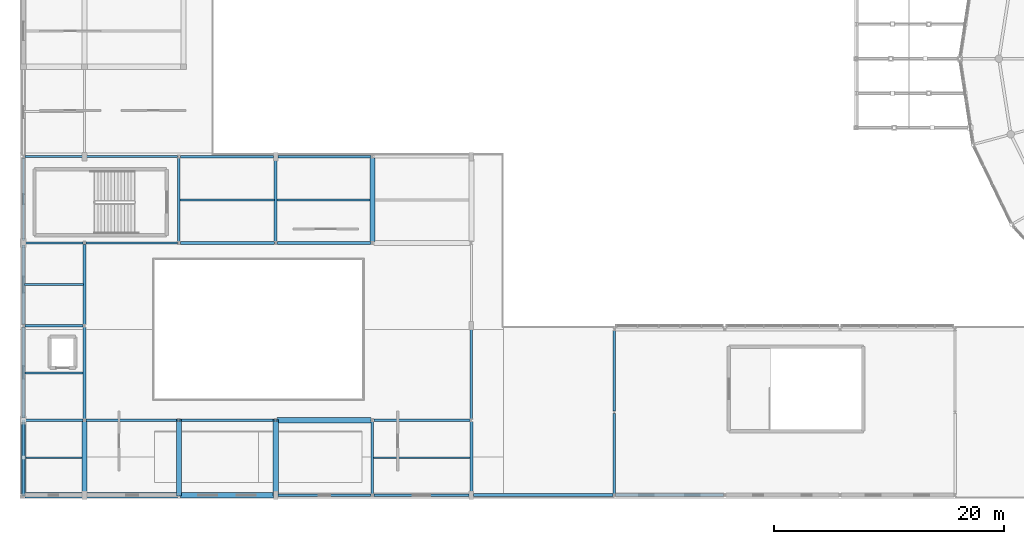
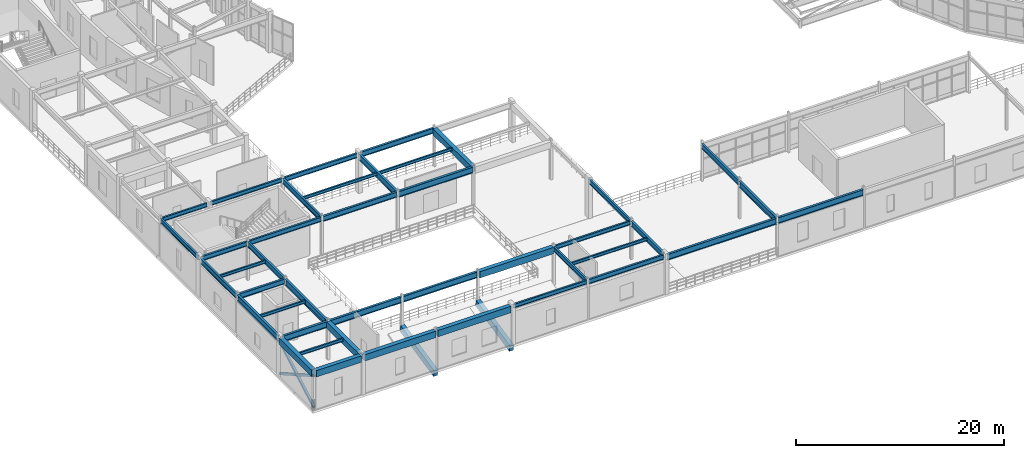
# One storey, part 29 of 144: 44 beams, 3 members.
"""IFC4 building model written with IfcOpenShell, lengths in metres."""

from ifc_helpers import new_model, si_unit, direction, frame, origin, origin_2d, place, context, subcontext, project, spatial, rectangle, hollow_rectangle, i_section, extrude, material, material_profile, profile_set, type_object, element, save


model = new_model("IFC4")

# Units and contexts
model_context = context("Model", 3, precision=1e-05, world=origin(), true_north=direction((0.0, 1.0)))
body_context = subcontext(model_context, "Body", "Model", "MODEL_VIEW")
ifc_project = project(units=[si_unit("LENGTHUNIT", "METRE"), si_unit("AREAUNIT", "SQUARE_METRE"), si_unit("VOLUMEUNIT", "CUBIC_METRE"), si_unit("PLANEANGLEUNIT", "RADIAN"), si_unit("MASSUNIT", "GRAM", prefix="KILO")], contexts=[model_context])

# Site, building, storey
site_placement = place(None, origin())
site = spatial("IfcSite", under=ifc_project, at=site_placement, CompositionType="ELEMENT")
building_placement = place(site_placement, origin())
building = spatial("IfcBuilding", under=site, at=building_placement, Name="Cinderbank Siding Concert Hall", CompositionType="ELEMENT")
storey_placement = place(building_placement, frame((0.0, 0.0, 5.39990234375)))
storey = spatial("IfcBuildingStorey", under=building, at=storey_placement, Name="L02", CompositionType="ELEMENT", Elevation=5.39990234375)

# Beams
ifc_material_1 = material(Name="Reinforced concrete AS 3600 N50 (50 MPa)", Category="concrete")
ifc_material_profile_1 = material_profile(ifc_material_1, rectangle(XDim=0.449951171875, YDim=0.75, at=origin_2d()), Name="RC-BM-450x750", Category="LoadBearing")
ifc_profile_set_1 = profile_set([ifc_material_profile_1], Name="Reinforced concrete AS 3600 N50 (50 MPa)")
beam_type_1 = type_object("IfcBeamType", Name="BM-RC750 RC-BM-450x750", PredefinedType="BEAM", material=ifc_profile_set_1)
for number, where, z_axis, x_axis, name in (
    (1, (20.60009765625, 6.10009765625, -0.554931640625), (0.0, 0.977577246233, 0.210577129926), (-1.0, 0.0, 0.0), "L02 Beam BM-RC750 #3"),
    (2, (29.0, 6.10009765625, -0.554931640625), (0.0, 0.977577246233, 0.210577129926), (-1.0, 0.0, 0.0), "L02 Beam BM-RC750 #6"),
):
    element("IfcBeam", number, at=place(storey_placement, frame(where, z_axis=z_axis, x_axis=x_axis)), inside=storey, type_object=beam_type_1, Name=name, PredefinedType="BEAM", context=body_context, shape_type="SweptSolid", body=[
        extrude(rectangle(XDim=0.449951171875, YDim=0.75, at=origin_2d()), origin(), (0.0, 0.0, 1.0), 6.649169921875),
    ])
beam_1_placement = place(storey_placement, frame((7.218994140625, 6.10009765625, 4.1669921875), z_axis=(1.0, 0.0, 0.0), x_axis=(0.0, 1.0, 0.0)))
element("IfcBeam", 3, at=beam_1_placement, inside=storey, type_object=beam_type_1, Name="L02 Beam BM-RC750 #1489", PredefinedType="BEAM", context=body_context, shape_type="SweptSolid", body=[
    extrude(rectangle(XDim=0.449951171875, YDim=0.75, at=origin_2d()), origin(), (0.0, 0.0, 1.0), 4.989013671875),
])
beam_2_placement = place(storey_placement, frame((7.10009765625, 6.218994140625, 4.1669921875), z_axis=(0.0, 1.0, 0.0), x_axis=(-1.0, 0.0, 0.0)))
element("IfcBeam", 4, at=beam_2_placement, inside=storey, type_object=beam_type_1, Name="L02 Beam BM-RC750 #1490", PredefinedType="BEAM", context=body_context, shape_type="SweptSolid", body=[
    extrude(rectangle(XDim=0.449951171875, YDim=0.75, at=origin_2d()), origin(), (0.0, 0.0, 1.0), 6.18896484375),
])
beam_3_placement = place(storey_placement, frame((12.592041015625, 6.10009765625, 4.1669921875), z_axis=(1.0, 0.0, 0.0), x_axis=(0.0, 1.0, 0.0)))
element("IfcBeam", 5, at=beam_3_placement, inside=storey, type_object=beam_type_1, Name="L02 Beam BM-RC750 #1499", PredefinedType="BEAM", context=body_context, shape_type="SweptSolid", body=[
    extrude(rectangle(XDim=0.449951171875, YDim=0.75, at=origin_2d()), origin(), (0.0, 0.0, 1.0), 7.888916015625),
])
beam_4_placement = place(storey_placement, frame((12.39990234375, 6.2919921875, 4.1669921875), z_axis=(0.0, 1.0, 0.0), x_axis=(-1.0, 0.0, 0.0)))
element("IfcBeam", 6, at=beam_4_placement, inside=storey, type_object=beam_type_1, Name="L02 Beam BM-RC750 #1500", PredefinedType="BEAM", context=body_context, shape_type="SweptSolid", body=[
    extrude(rectangle(XDim=0.449951171875, YDim=0.75, at=origin_2d()), origin(), (0.0, 0.0, 1.0), 6.18896484375),
])
beam_5_placement = place(storey_placement, frame((20.718994140625, 6.10009765625, 4.1669921875), z_axis=(1.0, 0.0, 0.0), x_axis=(0.0, 1.0, 0.0)))
element("IfcBeam", 7, at=beam_5_placement, inside=storey, type_object=beam_type_1, Name="L02 Beam BM-RC750 #1507", PredefinedType="BEAM", context=body_context, shape_type="SweptSolid", body=[
    extrude(rectangle(XDim=0.449951171875, YDim=0.75, at=origin_2d()), origin(), (0.0, 0.0, 1.0), 8.089111328125),
])
beam_6_placement = place(storey_placement, frame((29.118896484375, 12.60009765625, 4.1669921875), z_axis=(1.0, 0.0, 0.0), x_axis=(0.0, 1.0, 0.0)))
element("IfcBeam", 8, at=beam_6_placement, inside=storey, type_object=beam_type_1, Name="L02 Beam BM-RC750 #1513", PredefinedType="BEAM", context=body_context, shape_type="SweptSolid", body=[
    extrude(rectangle(XDim=0.449951171875, YDim=0.75, at=origin_2d()), origin(), (0.0, 0.0, 1.0), 8.162109375),
])
beam_7_placement = place(storey_placement, frame((37.39990234375, 28.118896484375, 4.1669921875), z_axis=(0.0, 1.0, 0.0), x_axis=(-1.0, 0.0, 0.0)))
element("IfcBeam", 9, at=beam_7_placement, inside=storey, type_object=beam_type_1, Name="L02 Beam BM-RC750 #1521", PredefinedType="BEAM", context=body_context, shape_type="SweptSolid", body=[
    extrude(rectangle(XDim=0.449951171875, YDim=0.75, at=origin_2d()), origin(), (0.0, 0.0, 1.0), 7.26220703125),
])
ifc_material_2 = material(Name="Structural steel AS/NZS 3679.1 Grade 350 (340 MPa)", Category="steel")
ifc_material_profile_2 = material_profile(ifc_material_2, i_section(OverallWidth=0.18994140625, OverallDepth=0.45751953125, WebThickness=0.009033203125, FlangeThickness=0.014404296875, at=origin_2d()), Name="460UB74.6", Category="LoadBearing")
ifc_profile_set_2 = profile_set([ifc_material_profile_2], Name="Structural steel AS/NZS 3679.1 Grade 350 (340 MPa)")
beam_type_2 = type_object("IfcBeamType", Name="BM-UB460 460UB74.6", PredefinedType="BEAM", material=ifc_profile_set_2)
beam_8_placement = place(storey_placement, frame((7.218994140625, 35.5, 4.3134765625), z_axis=(1.0, 0.0, 0.0), x_axis=(0.0, 1.0, 0.0)))
element("IfcBeam", 10, at=beam_8_placement, inside=storey, type_object=beam_type_2, Name="L02 Beam BM-UB460 #1497", PredefinedType="BEAM", context=body_context, shape_type="SweptSolid", body=[
    extrude(i_section(OverallWidth=0.18994140625, OverallDepth=0.45751953125, WebThickness=0.009033203125, FlangeThickness=0.014404296875, at=origin_2d()), origin(), (0.0, 0.0, 1.0), 4.989013671875),
])
beam_9_placement = place(storey_placement, frame((12.592041015625, 35.5, 4.3134765625), z_axis=(1.0, 0.0, 0.0), x_axis=(0.0, 1.0, 0.0)))
element("IfcBeam", 11, at=beam_9_placement, inside=storey, type_object=beam_type_2, Name="L02 Beam BM-UB460 #1505", PredefinedType="BEAM", context=body_context, shape_type="SweptSolid", body=[
    extrude(i_section(OverallWidth=0.18994140625, OverallDepth=0.45751953125, WebThickness=0.009033203125, FlangeThickness=0.014404296875, at=origin_2d()), origin(), (0.0, 0.0, 1.0), 7.888916015625),
])
beam_10_placement = place(storey_placement, frame((29.19189453125, 6.10009765625, 4.3134765625), z_axis=(1.0, 0.0, 0.0), x_axis=(0.0, 1.0, 0.0)))
element("IfcBeam", 12, at=beam_10_placement, inside=storey, type_object=beam_type_2, Name="L02 Beam BM-UB460 #1512", PredefinedType="BEAM", context=body_context, shape_type="SweptSolid", body=[
    extrude(i_section(OverallWidth=0.18994140625, OverallDepth=0.45751953125, WebThickness=0.009033203125, FlangeThickness=0.014404296875, at=origin_2d()), origin(), (0.0, 0.0, 1.0), 8.089111328125),
])
beam_11_placement = place(storey_placement, frame((37.51904296875, 12.60009765625, 4.3134765625), z_axis=(1.0, 0.0, 0.0), x_axis=(0.0, 1.0, 0.0)))
element("IfcBeam", 13, at=beam_11_placement, inside=storey, type_object=beam_type_2, Name="L02 Beam BM-UB460 #1519", PredefinedType="BEAM", context=body_context, shape_type="SweptSolid", body=[
    extrude(i_section(OverallWidth=0.18994140625, OverallDepth=0.45751953125, WebThickness=0.009033203125, FlangeThickness=0.014404296875, at=origin_2d()), origin(), (0.0, 0.0, 1.0), 8.362060546875),
])
ifc_material_profile_3 = material_profile(ifc_material_2, i_section(OverallWidth=0.208984375, OverallDepth=0.5283203125, WebThickness=0.009521484375, FlangeThickness=0.01318359375, at=origin_2d()), Name="530UB82.0", Category="LoadBearing")
ifc_profile_set_3 = profile_set([ifc_material_profile_3], Name="Structural steel AS/NZS 3679.1 Grade 350 (340 MPa)")
beam_type_3 = type_object("IfcBeamType", Name="BM-UB530 530UB82.0", PredefinedType="BEAM", material=ifc_profile_set_3)
beam_12_placement = place(storey_placement, frame((7.2919921875, 28.0, 4.278076171875), z_axis=(1.0, 0.0, 0.0), x_axis=(0.0, 1.0, 0.0)))
element("IfcBeam", 14, at=beam_12_placement, inside=storey, type_object=beam_type_3, Name="L02 Beam BM-UB530 #1495", PredefinedType="BEAM", context=body_context, shape_type="SweptSolid", body=[
    extrude(i_section(OverallWidth=0.208984375, OverallDepth=0.5283203125, WebThickness=0.009521484375, FlangeThickness=0.01318359375, at=origin_2d()), origin(), (0.0, 0.0, 1.0), 4.989013671875),
])
beam_13_placement = place(storey_placement, frame((7.10009765625, 28.19189453125, 4.278076171875), z_axis=(0.0, 1.0, 0.0), x_axis=(-1.0, 0.0, 0.0)))
element("IfcBeam", 15, at=beam_13_placement, inside=storey, type_object=beam_type_3, Name="L02 Beam BM-UB530 #1496", PredefinedType="BEAM", context=body_context, shape_type="SweptSolid", body=[
    extrude(i_section(OverallWidth=0.208984375, OverallDepth=0.5283203125, WebThickness=0.009521484375, FlangeThickness=0.01318359375, at=origin_2d()), origin(), (0.0, 0.0, 1.0), 7.189208984375),
])
beam_14_placement = place(storey_placement, frame((12.51904296875, 28.0, 4.278076171875), z_axis=(1.0, 0.0, 0.0), x_axis=(0.0, 1.0, 0.0)))
element("IfcBeam", 16, at=beam_14_placement, inside=storey, type_object=beam_type_3, Name="L02 Beam BM-UB530 #1504", PredefinedType="BEAM", context=body_context, shape_type="SweptSolid", body=[
    extrude(i_section(OverallWidth=0.208984375, OverallDepth=0.5283203125, WebThickness=0.009521484375, FlangeThickness=0.01318359375, at=origin_2d()), origin(), (0.0, 0.0, 1.0), 7.9619140625),
])
beam_15_placement = place(storey_placement, frame((20.718994140625, 35.5, 4.278076171875), z_axis=(1.0, 0.0, 0.0), x_axis=(0.0, 1.0, 0.0)))
element("IfcBeam", 17, at=beam_15_placement, inside=storey, type_object=beam_type_3, Name="L02 Beam BM-UB530 #1511", PredefinedType="BEAM", context=body_context, shape_type="SweptSolid", body=[
    extrude(i_section(OverallWidth=0.208984375, OverallDepth=0.5283203125, WebThickness=0.009521484375, FlangeThickness=0.01318359375, at=origin_2d()), origin(), (0.0, 0.0, 1.0), 8.089111328125),
])
beam_16_placement = place(storey_placement, frame((37.51904296875, 6.10009765625, 4.278076171875), z_axis=(1.0, 0.0, 0.0), x_axis=(0.0, 1.0, 0.0)))
element("IfcBeam", 18, at=beam_16_placement, inside=storey, type_object=beam_type_3, Name="L02 Beam BM-UB530 #1517", PredefinedType="BEAM", context=body_context, shape_type="SweptSolid", body=[
    extrude(i_section(OverallWidth=0.208984375, OverallDepth=0.5283203125, WebThickness=0.009521484375, FlangeThickness=0.01318359375, at=origin_2d()), origin(), (0.0, 0.0, 1.0), 8.2890625),
])
beam_17_placement = place(storey_placement, frame((37.39990234375, 6.218994140625, 4.278076171875), z_axis=(0.0, 1.0, 0.0), x_axis=(-1.0, 0.0, 0.0)))
element("IfcBeam", 19, at=beam_17_placement, inside=storey, type_object=beam_type_3, Name="L02 Beam BM-UB530 #1518", PredefinedType="BEAM", context=body_context, shape_type="SweptSolid", body=[
    extrude(i_section(OverallWidth=0.208984375, OverallDepth=0.5283203125, WebThickness=0.009521484375, FlangeThickness=0.01318359375, at=origin_2d()), origin(), (0.0, 0.0, 1.0), 6.261962890625),
])
beam_18_placement = place(storey_placement, frame((46.0, 12.718994140625, 4.278076171875), z_axis=(0.0, 1.0, 0.0), x_axis=(-1.0, 0.0, 0.0)))
element("IfcBeam", 20, at=beam_18_placement, inside=storey, type_object=beam_type_3, Name="L02 Beam BM-UB530 #1525", PredefinedType="BEAM", context=body_context, shape_type="SweptSolid", body=[
    extrude(i_section(OverallWidth=0.208984375, OverallDepth=0.5283203125, WebThickness=0.009521484375, FlangeThickness=0.01318359375, at=origin_2d()), origin(), (0.0, 0.0, 1.0), 7.888916015625),
])
ifc_material_profile_4 = material_profile(ifc_material_2, i_section(OverallWidth=0.22802734375, OverallDepth=0.602294921875, WebThickness=0.010498046875, FlangeThickness=0.014892578125, at=origin_2d()), Name="610UB101", Category="LoadBearing")
ifc_profile_set_4 = profile_set([ifc_material_profile_4], Name="Structural steel AS/NZS 3679.1 Grade 350 (340 MPa)")
beam_type_4 = type_object("IfcBeamType", Name="BM-UB610 610UB101", PredefinedType="BEAM", material=ifc_profile_set_4)
beam_19_placement = place(storey_placement, frame((7.218994140625, 20.800048828125, 4.240966796875), z_axis=(1.0, 0.0, 0.0), x_axis=(0.0, 1.0, 0.0)))
element("IfcBeam", 21, at=beam_19_placement, inside=storey, type_object=beam_type_4, Name="L02 Beam BM-UB610 #1493", PredefinedType="BEAM", context=body_context, shape_type="SweptSolid", body=[
    extrude(i_section(OverallWidth=0.22802734375, OverallDepth=0.602294921875, WebThickness=0.010498046875, FlangeThickness=0.014892578125, at=origin_2d()), origin(), (0.0, 0.0, 1.0), 5.06201171875),
])
beam_20_placement = place(storey_placement, frame((7.10009765625, 20.9189453125, 4.240966796875), z_axis=(0.0, 1.0, 0.0), x_axis=(-1.0, 0.0, 0.0)))
element("IfcBeam", 22, at=beam_20_placement, inside=storey, type_object=beam_type_4, Name="L02 Beam BM-UB610 #1494", PredefinedType="BEAM", context=body_context, shape_type="SweptSolid", body=[
    extrude(i_section(OverallWidth=0.22802734375, OverallDepth=0.602294921875, WebThickness=0.010498046875, FlangeThickness=0.014892578125, at=origin_2d()), origin(), (0.0, 0.0, 1.0), 6.88916015625),
])
beam_21_placement = place(storey_placement, frame((12.39990234375, 20.9189453125, 4.240966796875), z_axis=(0.0, 1.0, 0.0), x_axis=(-1.0, 0.0, 0.0)))
element("IfcBeam", 23, at=beam_21_placement, inside=storey, type_object=beam_type_4, Name="L02 Beam BM-UB610 #1503", PredefinedType="BEAM", context=body_context, shape_type="SweptSolid", body=[
    extrude(i_section(OverallWidth=0.22802734375, OverallDepth=0.602294921875, WebThickness=0.010498046875, FlangeThickness=0.014892578125, at=origin_2d()), origin(), (0.0, 0.0, 1.0), 6.962158203125),
])
beam_22_placement = place(storey_placement, frame((20.718994140625, 28.0, 4.240966796875), z_axis=(1.0, 0.0, 0.0), x_axis=(0.0, 1.0, 0.0)))
element("IfcBeam", 24, at=beam_22_placement, inside=storey, type_object=beam_type_4, Name="L02 Beam BM-UB610 #1509", PredefinedType="BEAM", context=body_context, shape_type="SweptSolid", body=[
    extrude(i_section(OverallWidth=0.22802734375, OverallDepth=0.602294921875, WebThickness=0.010498046875, FlangeThickness=0.014892578125, at=origin_2d()), origin(), (0.0, 0.0, 1.0), 8.162109375),
])
beam_23_placement = place(storey_placement, frame((20.60009765625, 28.118896484375, 4.240966796875), z_axis=(0.0, 1.0, 0.0), x_axis=(-1.0, 0.0, 0.0)))
element("IfcBeam", 25, at=beam_23_placement, inside=storey, type_object=beam_type_4, Name="L02 Beam BM-UB610 #1510", PredefinedType="BEAM", context=body_context, shape_type="SweptSolid", body=[
    extrude(i_section(OverallWidth=0.22802734375, OverallDepth=0.602294921875, WebThickness=0.010498046875, FlangeThickness=0.014892578125, at=origin_2d()), origin(), (0.0, 0.0, 1.0), 7.26220703125),
])
beam_24_placement = place(storey_placement, frame((29.19189453125, 35.5, 4.240966796875), z_axis=(1.0, 0.0, 0.0), x_axis=(0.0, 1.0, 0.0)))
element("IfcBeam", 26, at=beam_24_placement, inside=storey, type_object=beam_type_4, Name="L02 Beam BM-UB610 #1516", PredefinedType="BEAM", context=body_context, shape_type="SweptSolid", body=[
    extrude(i_section(OverallWidth=0.22802734375, OverallDepth=0.602294921875, WebThickness=0.010498046875, FlangeThickness=0.014892578125, at=origin_2d()), origin(), (0.0, 0.0, 1.0), 8.089111328125),
])
beam_25_placement = place(storey_placement, frame((46.0, 6.2919921875, 4.240966796875), z_axis=(0.0, 1.0, 0.0), x_axis=(-1.0, 0.0, 0.0)))
element("IfcBeam", 27, at=beam_25_placement, inside=storey, type_object=beam_type_4, Name="L02 Beam BM-UB610 #1524", PredefinedType="BEAM", context=body_context, shape_type="SweptSolid", body=[
    extrude(i_section(OverallWidth=0.22802734375, OverallDepth=0.602294921875, WebThickness=0.010498046875, FlangeThickness=0.014892578125, at=origin_2d()), origin(), (0.0, 0.0, 1.0), 6.18896484375),
])
beam_26_placement = place(storey_placement, frame((58.39990234375, 13.39453125, 4.15087890625), z_axis=(0.0, 1.0, 0.0), x_axis=(-1.0, 0.0, 0.0)))
element("IfcBeam", 28, at=beam_26_placement, inside=storey, type_object=beam_type_4, Name="L02 Beam BM-UB610 #1611", PredefinedType="BEAM", context=body_context, shape_type="SweptSolid", body=[
    extrude(i_section(OverallWidth=0.22802734375, OverallDepth=0.602294921875, WebThickness=0.010498046875, FlangeThickness=0.014892578125, at=origin_2d()), origin(), (0.0, 0.0, 1.0), 7.010986328125),
])
ifc_material_3 = material(Name="Structural steel welded plate section AS/NZS 3679.2 / AS/NZS 3678 Grade 350 (340 MPa)", Category="steel")
ifc_material_profile_5 = material_profile(ifc_material_3, i_section(OverallWidth=0.25, OverallDepth=0.699951171875, WebThickness=0.010009765625, FlangeThickness=0.01611328125, at=origin_2d()), Name="700WB130", Category="LoadBearing")
ifc_profile_set_5 = profile_set([ifc_material_profile_5], Name="Structural steel welded plate section AS/NZS 3679.2 / AS/NZS 3678 Grade 350 (340 MPa)")
beam_type_5 = type_object("IfcBeamType", Name="BM-WB700 700WB130", PredefinedType="BEAM", material=ifc_profile_set_5)
beam_27_placement = place(storey_placement, frame((7.2919921875, 12.60009765625, 4.192138671875), z_axis=(1.0, 0.0, 0.0), x_axis=(0.0, 1.0, 0.0)))
element("IfcBeam", 29, at=beam_27_placement, inside=storey, type_object=beam_type_5, Name="L02 Beam BM-WB700 #1491", PredefinedType="BEAM", context=body_context, shape_type="SweptSolid", body=[
    extrude(i_section(OverallWidth=0.25, OverallDepth=0.699951171875, WebThickness=0.010009765625, FlangeThickness=0.01611328125, at=origin_2d()), origin(), (0.0, 0.0, 1.0), 4.989013671875),
])
beam_28_placement = place(storey_placement, frame((7.10009765625, 12.7919921875, 4.192138671875), z_axis=(0.0, 1.0, 0.0), x_axis=(-1.0, 0.0, 0.0)))
element("IfcBeam", 30, at=beam_28_placement, inside=storey, type_object=beam_type_5, Name="L02 Beam BM-WB700 #1492", PredefinedType="BEAM", context=body_context, shape_type="SweptSolid", body=[
    extrude(i_section(OverallWidth=0.25, OverallDepth=0.699951171875, WebThickness=0.010009765625, FlangeThickness=0.01611328125, at=origin_2d()), origin(), (0.0, 0.0, 1.0), 7.888916015625),
])
for number, where, z_axis, x_axis, name in (
    (31, (12.51904296875, 12.60009765625, 4.192138671875), (1.0, 0.0, 0.0), (0.0, 1.0, 0.0), "L02 Beam BM-WB700 #1501"),
    (32, (12.39990234375, 12.718994140625, 4.192138671875), (0.0, 1.0, 0.0), (-1.0, 0.0, 0.0), "L02 Beam BM-WB700 #1502"),
):
    element("IfcBeam", number, at=place(storey_placement, frame(where, z_axis=z_axis, x_axis=x_axis)), inside=storey, type_object=beam_type_5, Name=name, PredefinedType="BEAM", context=body_context, shape_type="SweptSolid", body=[
        extrude(i_section(OverallWidth=0.25, OverallDepth=0.699951171875, WebThickness=0.010009765625, FlangeThickness=0.01611328125, at=origin_2d()), origin(), (0.0, 0.0, 1.0), 7.9619140625),
    ])
for number, where, z_axis, x_axis, name in (
    (33, (20.718994140625, 12.60009765625, 4.192138671875), (1.0, 0.0, 0.0), (0.0, 1.0, 0.0), "L02 Beam BM-WB700 #1508"),
    (34, (29.118896484375, 28.0, 4.192138671875), (1.0, 0.0, 0.0), (0.0, 1.0, 0.0), "L02 Beam BM-WB700 #1514"),
):
    element("IfcBeam", number, at=place(storey_placement, frame(where, z_axis=z_axis, x_axis=x_axis)), inside=storey, type_object=beam_type_5, Name=name, PredefinedType="BEAM", context=body_context, shape_type="SweptSolid", body=[
        extrude(i_section(OverallWidth=0.25, OverallDepth=0.699951171875, WebThickness=0.010009765625, FlangeThickness=0.01611328125, at=origin_2d()), origin(), (0.0, 0.0, 1.0), 8.162109375),
    ])
beam_29_placement = place(storey_placement, frame((29.0, 28.118896484375, 4.192138671875), z_axis=(0.0, 1.0, 0.0), x_axis=(-1.0, 0.0, 0.0)))
element("IfcBeam", 35, at=beam_29_placement, inside=storey, type_object=beam_type_5, Name="L02 Beam BM-WB700 #1515", PredefinedType="BEAM", context=body_context, shape_type="SweptSolid", body=[
    extrude(i_section(OverallWidth=0.25, OverallDepth=0.699951171875, WebThickness=0.010009765625, FlangeThickness=0.01611328125, at=origin_2d()), origin(), (0.0, 0.0, 1.0), 7.189208984375),
])
beam_30_placement = place(storey_placement, frame((46.19189453125, 6.10009765625, 4.10205078125), z_axis=(1.0, 0.0, 0.0), x_axis=(0.0, 1.0, 0.0)))
element("IfcBeam", 36, at=beam_30_placement, inside=storey, type_object=beam_type_5, Name="L02 Beam BM-WB700 #1523", PredefinedType="BEAM", context=body_context, shape_type="SweptSolid", body=[
    extrude(i_section(OverallWidth=0.25, OverallDepth=0.699951171875, WebThickness=0.010009765625, FlangeThickness=0.01611328125, at=origin_2d()), origin(), (0.0, 0.0, 1.0), 12.113525390625),
])
beam_31_placement = place(storey_placement, frame((58.494384765625, 6.10009765625, 4.10205078125), z_axis=(1.0, 0.0, 0.0), x_axis=(0.0, 1.0, 0.0)))
element("IfcBeam", 37, at=beam_31_placement, inside=storey, type_object=beam_type_5, Name="L02 Beam BM-WB700 #1609", PredefinedType="BEAM", context=body_context, shape_type="SweptSolid", body=[
    extrude(i_section(OverallWidth=0.25, OverallDepth=0.699951171875, WebThickness=0.010009765625, FlangeThickness=0.01611328125, at=origin_2d()), origin(), (0.0, 0.0, 1.0), 9.4111328125),
])
beam_32_placement = place(storey_placement, frame((58.39990234375, 6.194580078125, 4.10205078125), z_axis=(0.0, 1.0, 0.0), x_axis=(-1.0, 0.0, 0.0)))
element("IfcBeam", 38, at=beam_32_placement, inside=storey, type_object=beam_type_5, Name="L02 Beam BM-WB700 #1610", PredefinedType="BEAM", context=body_context, shape_type="SweptSolid", body=[
    extrude(i_section(OverallWidth=0.25, OverallDepth=0.699951171875, WebThickness=0.010009765625, FlangeThickness=0.01611328125, at=origin_2d()), origin(), (0.0, 0.0, 1.0), 7.010986328125),
])

# Members
ifc_material_4 = material(Name="Structural steel hollow section AS/NZS 1163 Grade C350L0 (350 MPa)", Category="steel")
ifc_material_profile_6 = material_profile(ifc_material_4, hollow_rectangle(XDim=0.25, YDim=0.25, WallThickness=0.010009765625, at=origin_2d()), Name="250x250x10.0SHS", Category="LoadBearing")
ifc_profile_set_6 = profile_set([ifc_material_profile_6], Name="Structural steel hollow section AS/NZS 1163 Grade C350L0 (350 MPa)")
member_type = type_object("IfcMemberType", Name="BR-SHS250 250x250x10.0SHS Roof Truss", PredefinedType="BRACE", material=ifc_profile_set_6)
member_placement = place(storey_placement, frame((7.10009765625, 6.10009765625, 0.2001953125), z_axis=(0.0, 0.869067538111, 0.49469345478), x_axis=(-1.0, 0.0, 0.0)))
element("IfcMember", 39, at=member_placement, inside=storey, type_object=member_type, Name="L02 Diagonal Brace BR-SHS250 #LBR-BR-SHS250-L02-2524", PredefinedType="BRACE", context=body_context, shape_type="SweptSolid", body=[
    extrude(hollow_rectangle(XDim=0.25, YDim=0.25, WallThickness=0.010009765625, at=origin_2d()), origin(), (0.0, 0.0, 1.0), 7.479248046875),
])
for number, where, z_axis, x_axis, name in (
    (40, (7.10009765625, 12.60009765625, 0.2001953125), (0.0, -0.869076870169, 0.494677060047), (1.0, 0.0, 0.0), "L02 Diagonal Brace BR-SHS250 #LBR-BR-SHS250-L02-2525"),
    (41, (7.10009765625, 9.3369140625, 2.0576171875), (0.0, -0.869060829293, 0.49470524051), (1.0, 0.0, 0.0), "L02 Diagonal Brace BR-SHS250 #LBR-BR-SHS250-L02-2525-S230"),
):
    element("IfcMember", number, at=place(storey_placement, frame(where, z_axis=z_axis, x_axis=x_axis)), inside=storey, type_object=member_type, Name=name, PredefinedType="BRACE", context=body_context, shape_type="SweptSolid", body=[
        extrude(hollow_rectangle(XDim=0.25, YDim=0.25, WallThickness=0.010009765625, at=origin_2d()), origin(), (0.0, 0.0, 1.0), 3.724609375),
    ])

# Beams
ifc_material_profile_7 = material_profile(ifc_material_2, i_section(OverallWidth=0.1708984375, OverallDepth=0.35205078125, WebThickness=0.0068359375, FlangeThickness=0.009765625, at=origin_2d()), Name="360UB44.7", Category="LoadBearing")
ifc_profile_set_7 = profile_set([ifc_material_profile_7], Name="Structural steel AS/NZS 3679.1 Grade 350 (340 MPa)")
beam_type_6 = type_object("IfcBeamType", Name="JS-UB360 360UB44.7", PredefinedType="JOIST", material=ifc_profile_set_7)
beam_33_placement = place(storey_placement, frame((7.31689453125, 9.35009765625, 4.3662109375), z_axis=(1.0, 0.0, 0.0), x_axis=(0.0, 1.0, 0.0)))
element("IfcBeam", 42, at=beam_33_placement, inside=storey, type_object=beam_type_6, Name="L02 Beam JS-UB360 #1658", PredefinedType="JOIST", context=body_context, shape_type="SweptSolid", body=[
    extrude(i_section(OverallWidth=0.1708984375, OverallDepth=0.35205078125, WebThickness=0.0068359375, FlangeThickness=0.009765625, at=origin_2d()), origin(), (0.0, 0.0, 1.0), 4.8662109375),
])
beam_34_placement = place(storey_placement, frame((7.217041015625, 16.699951171875, 4.3662109375), z_axis=(1.0, 0.0, 0.0), x_axis=(0.0, 1.0, 0.0)))
element("IfcBeam", 43, at=beam_34_placement, inside=storey, type_object=beam_type_6, Name="L02 Beam JS-UB360 #1659", PredefinedType="JOIST", context=body_context, shape_type="SweptSolid", body=[
    extrude(i_section(OverallWidth=0.1708984375, OverallDepth=0.35205078125, WebThickness=0.0068359375, FlangeThickness=0.009765625, at=origin_2d()), origin(), (0.0, 0.0, 1.0), 5.06591796875),
])
beam_35_placement = place(storey_placement, frame((7.2060546875, 24.39990234375, 4.3662109375), z_axis=(1.0, 0.0, 0.0), x_axis=(0.0, 1.0, 0.0)))
element("IfcBeam", 44, at=beam_35_placement, inside=storey, type_object=beam_type_6, Name="L02 Beam JS-UB360 #1660", PredefinedType="JOIST", context=body_context, shape_type="SweptSolid", body=[
    extrude(i_section(OverallWidth=0.1708984375, OverallDepth=0.35205078125, WebThickness=0.0068359375, FlangeThickness=0.009765625, at=origin_2d()), origin(), (0.0, 0.0, 1.0), 5.087890625),
])
beam_36_placement = place(storey_placement, frame((20.7060546875, 31.75, 4.3662109375), z_axis=(1.0, 0.0, 0.0), x_axis=(0.0, 1.0, 0.0)))
element("IfcBeam", 45, at=beam_36_placement, inside=storey, type_object=beam_type_6, Name="L02 Beam JS-UB360 #1662", PredefinedType="JOIST", context=body_context, shape_type="SweptSolid", body=[
    extrude(i_section(OverallWidth=0.1708984375, OverallDepth=0.35205078125, WebThickness=0.0068359375, FlangeThickness=0.009765625, at=origin_2d()), origin(), (0.0, 0.0, 1.0), 8.177001953125),
])
beam_37_placement = place(storey_placement, frame((29.116943359375, 31.75, 4.3662109375), z_axis=(1.0, 0.0, 0.0), x_axis=(0.0, 1.0, 0.0)))
element("IfcBeam", 46, at=beam_37_placement, inside=storey, type_object=beam_type_6, Name="L02 Beam JS-UB360 #1663", PredefinedType="JOIST", context=body_context, shape_type="SweptSolid", body=[
    extrude(i_section(OverallWidth=0.1708984375, OverallDepth=0.35205078125, WebThickness=0.0068359375, FlangeThickness=0.009765625, at=origin_2d()), origin(), (0.0, 0.0, 1.0), 8.066162109375),
])
beam_38_placement = place(storey_placement, frame((37.49658203125, 9.35009765625, 4.3662109375), z_axis=(1.0, 0.0, 0.0), x_axis=(0.0, 1.0, 0.0)))
element("IfcBeam", 47, at=beam_38_placement, inside=storey, type_object=beam_type_6, Name="L02 Beam JS-UB360 #1664", PredefinedType="JOIST", context=body_context, shape_type="SweptSolid", body=[
    extrude(i_section(OverallWidth=0.1708984375, OverallDepth=0.35205078125, WebThickness=0.0068359375, FlangeThickness=0.009765625, at=origin_2d()), origin(), (0.0, 0.0, 1.0), 8.3974609375),
])

save(model, "model.ifc")
